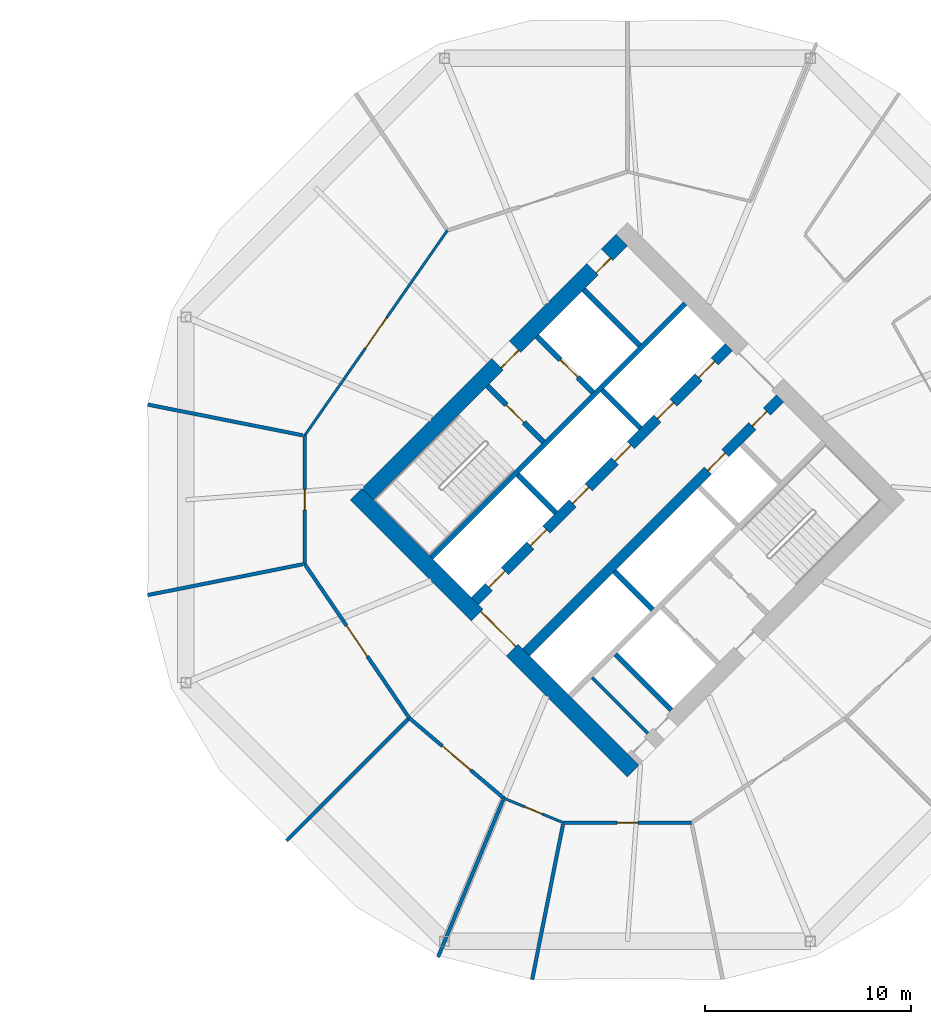
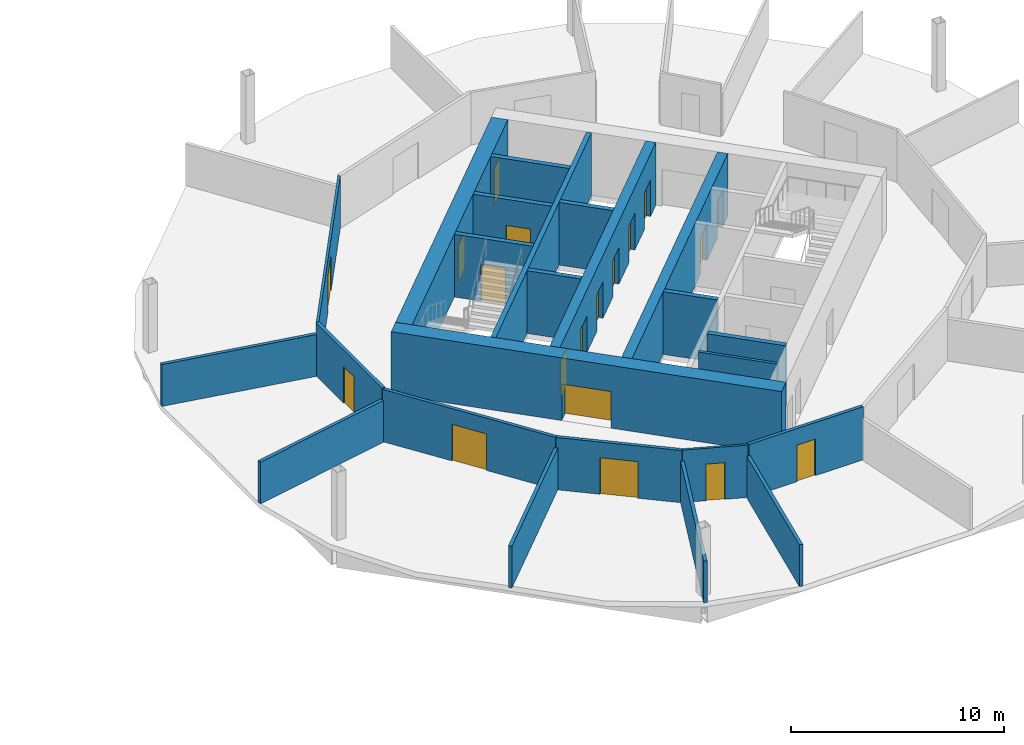
# One storey, part 7 of 10: 24 walls, 19 doors, 19 openings.
"""IFC4 building model written with IfcOpenShell, lengths in metres."""

import ifcopenshell
import ifcopenshell.guid

model = None  # the IFC model being written
_history = None  # IfcOwnerHistory: only IFC2X3 demands one
_inside = {}  # id of a spatial element -> (the spatial element, [elements in it])
_under = {}  # id of a project, library or spatial element -> (it, [spatial elements below it])
_declared = {}  # id of a project -> (the project, [libraries it declares])
_typed = {}  # id of a type object -> (the type object, [elements of that type])
_made_of = {}  # id of a material, layer set ... -> (it, [elements and type objects made of it])


def new_model(schema):
    """Start an empty IFC model of exactly this schema.

    Asked for "IFC4X3", IfcOpenShell would pick the latest addendum, in which some entities
    have other attributes; the version numbers below select the first issue.
    IFC2X3 requires an IfcOwnerHistory on every rooted entity: one is made here for all.
    """
    global model, _history
    if schema == "IFC4X3":
        model = ifcopenshell.file(schema_version=(4, 3, 0, 0))
    else:
        model = ifcopenshell.file(schema=schema)
    _inside.clear()
    _under.clear()
    _declared.clear()
    _typed.clear()
    _made_of.clear()
    _history = None
    if model.schema == "IFC2X3":
        org = make("IfcOrganization", Name="unknown")
        user = make(
            "IfcPersonAndOrganization",
            ThePerson=make("IfcPerson", FamilyName="unknown"),
            TheOrganization=org,
        )
        app = make(
            "IfcApplication",
            ApplicationDeveloper=org,
            Version="unknown",
            ApplicationFullName="unknown",
            ApplicationIdentifier="unknown",
        )
        _history = make(
            "IfcOwnerHistory",
            OwningUser=user,
            OwningApplication=app,
            ChangeAction="ADDED",
            CreationDate=0,
        )
    return model


def make(cls, **values):
    """One entity of the class cls with the attributes given. An attribute that is None is left unset."""
    return model.create_entity(
        cls, **{name: value for name, value in values.items() if value is not None}
    )


def rooted(cls, **values):
    """An entity with a GlobalId (a new one), such as an element, a storey or a relation."""
    return make(cls, GlobalId=ifcopenshell.guid.new(), OwnerHistory=_history, **values)


def si_unit(unit_type, name, prefix=None):
    """IfcSIUnit, for example si_unit("LENGTHUNIT", "METRE", prefix="MILLI")."""
    return make("IfcSIUnit", UnitType=unit_type, Prefix=prefix, Name=name)


def assignment(units):
    """IfcUnitAssignment: the units of a project."""
    return None if units is None else make("IfcUnitAssignment", Units=units)


def point(xyz):
    """IfcCartesianPoint."""
    return None if xyz is None else make("IfcCartesianPoint", Coordinates=xyz)


def direction(xyz):
    """IfcDirection."""
    return None if xyz is None else make("IfcDirection", DirectionRatios=xyz)


def frame(location, z_axis=None, x_axis=None):
    """IfcAxis2Placement3D, a coordinate frame: its origin and axes. An axis left out is left unset."""
    return make(
        "IfcAxis2Placement3D",
        Location=point(location),
        Axis=direction(z_axis),
        RefDirection=direction(x_axis),
    )


def frame_2d(location, x_axis=None):
    """IfcAxis2Placement2D, a coordinate frame in the plane: its origin and x axis."""
    return make(
        "IfcAxis2Placement2D", Location=point(location), RefDirection=direction(x_axis)
    )


def origin():
    """The frame at (0, 0, 0) with its axes left unset."""
    return frame((0.0, 0.0, 0.0))


def place(relative_to, where):
    """IfcLocalPlacement: puts the frame where relative to a parent placement (None: the world)."""
    return make(
        "IfcLocalPlacement", PlacementRelTo=relative_to, RelativePlacement=where
    )


def context(
    kind, dimensions, precision=None, world=None, true_north=None, identifier=None
):
    """IfcGeometricRepresentationContext, for example the 3D "Model" context."""
    return make(
        "IfcGeometricRepresentationContext",
        ContextIdentifier=identifier,
        ContextType=kind,
        CoordinateSpaceDimension=dimensions,
        Precision=precision,
        WorldCoordinateSystem=world,
        TrueNorth=true_north,
    )


def subcontext(parent, identifier, kind, view, scale=None):
    """IfcGeometricRepresentationSubContext, for example "Body" below "Model"."""
    return make(
        "IfcGeometricRepresentationSubContext",
        ContextIdentifier=identifier,
        ContextType=kind,
        ParentContext=parent,
        TargetScale=scale,
        TargetView=view,
    )


def project(units=None, contexts=None):
    """IfcProject with its units and contexts."""
    return rooted(
        "IfcProject",
        Name="project",
        RepresentationContexts=contexts,
        UnitsInContext=assignment(units),
    )


def spatial(cls, under=None, at=None, **own):
    """A site, building, storey or space (cls), placed at a placement, below another one or the project."""
    s = rooted(cls, ObjectPlacement=at, **own)
    if under is not None:
        _under.setdefault(under.id(), (under, []))[1].append(s)
    return s


def profile(cls, at=None, kind="AREA", **sizes):
    """A parametric profile (cls). Its sizes go by their IFC names, for example OverallWidth=200.0."""
    return make(cls, ProfileType=kind, Position=at, **sizes)


def rectangle(**sizes):
    """IfcRectangleProfileDef."""
    return profile("IfcRectangleProfileDef", **sizes)


def extrude(swept, where, along, depth):
    """IfcExtrudedAreaSolid: the profile swept, set in the frame where, extruded along a direction by depth."""
    return make(
        "IfcExtrudedAreaSolid",
        SweptArea=swept,
        Position=where,
        ExtrudedDirection=direction(along),
        Depth=depth,
    )


def shape(context_of_items, identifier, shape_type, items):
    """IfcShapeRepresentation: the items that make up one representation, for example the "Body"."""
    return make(
        "IfcShapeRepresentation",
        ContextOfItems=context_of_items,
        RepresentationIdentifier=identifier,
        RepresentationType=shape_type,
        Items=items,
    )


def material(Name=None, Category=None):
    """IfcMaterial."""
    return make("IfcMaterial", Name=Name, Category=Category)


def layer(
    of_material, thickness, ventilated=None, Name=None, Category=None, Priority=None
):
    """IfcMaterialLayer: one layer of a wall or slab, of a material (None: an air gap)."""
    return make(
        "IfcMaterialLayer",
        Material=of_material,
        LayerThickness=thickness,
        IsVentilated=ventilated,
        Name=Name,
        Category=Category,
        Priority=Priority,
    )


def layer_set(layers, Name=None):
    """IfcMaterialLayerSet."""
    return make("IfcMaterialLayerSet", MaterialLayers=layers, LayerSetName=Name)


def made_of(thing, what):
    """Note that an element or type object is made of a material, layer set ...; save() writes the relation."""
    if what is not None:
        _made_of.setdefault(what.id(), (what, []))[1].append(thing)
    return thing


def type_object(cls, material=None, **own):
    """A type object (cls), such as IfcWallType, which elements share."""
    return made_of(rooted(cls, **own), material)


def element(
    cls,
    number,
    at=None,
    inside=None,
    cuts=None,
    type_object=None,
    material=None,
    context=None,
    identifier="Body",
    shape_type=None,
    held_by="IfcProductDefinitionShape",
    body=None,
    shapes=None,
    **own,
):
    """One element of the class cls, such as IfcWall. Its Tag is "e" and its number.

    at: its placement. inside: the storey or other place that contains it. cuts: it is an
    opening in that element (IfcRelVoidsElement). A single representation is given by context,
    identifier, shape_type and body (its items); several are given by shapes. held_by: the class
    of the entity that holds the representations. save() writes the other relations.
    """
    e = rooted(cls, Tag="e%d" % number, ObjectPlacement=at, **own)
    if body is not None:
        shapes = [shape(context, identifier, shape_type, body)]
    if shapes is not None:
        e.Representation = make(held_by, Representations=shapes)
    if inside is not None:
        _inside.setdefault(inside.id(), (inside, []))[1].append(e)
    if cuts is not None:
        rooted(
            "IfcRelVoidsElement", RelatingBuildingElement=cuts, RelatedOpeningElement=e
        )
    if type_object is not None:
        _typed.setdefault(type_object.id(), (type_object, []))[1].append(e)
    return made_of(e, material)


def fill(opening, filler):
    """IfcRelFillsElement: the door or window that sits in an opening."""
    return rooted(
        "IfcRelFillsElement",
        RelatingOpeningElement=opening,
        RelatedBuildingElement=filler,
    )


def aggregate(whole, parts):
    """IfcRelAggregates: a whole, such as a stair, and the parts it consists of."""
    return rooted("IfcRelAggregates", RelatingObject=whole, RelatedObjects=parts)


def save(model, path):
    """Write the relations noted so far, then the file.

    IfcRelAggregates (storeys below a building ...), IfcRelContainedInSpatialStructure (elements
    in a storey), IfcRelDefinesByType, IfcRelAssociatesMaterial and IfcRelDeclares: one each for
    every whole, place, type object, material and project.
    """
    for whole, parts in _under.values():
        aggregate(whole, parts)
    for where, things in _inside.values():
        rooted(
            "IfcRelContainedInSpatialStructure",
            RelatedElements=things,
            RelatingStructure=where,
        )
    for kind, things in _typed.values():
        rooted("IfcRelDefinesByType", RelatedObjects=things, RelatingType=kind)
    for what, things in _made_of.values():
        rooted("IfcRelAssociatesMaterial", RelatedObjects=things, RelatingMaterial=what)
    for by, libraries in _declared.values():
        rooted("IfcRelDeclares", RelatingContext=by, RelatedDefinitions=libraries)
    model.write(path)


model = new_model("IFC4")

# Units and contexts
model_context = context("Model", 3, precision=1e-05, world=origin(), true_north=direction((0.0, 1.0)))
body_context = subcontext(model_context, "Body", "Model", "MODEL_VIEW")
ifc_project = project(units=[si_unit("LENGTHUNIT", "METRE"), si_unit("AREAUNIT", "SQUARE_METRE"), si_unit("VOLUMEUNIT", "CUBIC_METRE"), si_unit("PLANEANGLEUNIT", "RADIAN"), si_unit("MASSUNIT", "GRAM", prefix="KILO")], contexts=[model_context])

# Site, building, storey
site_placement = place(None, origin())
site = spatial("IfcSite", under=ifc_project, at=site_placement, CompositionType="ELEMENT")
building_placement = place(site_placement, origin())
building = spatial("IfcBuilding", under=site, at=building_placement, Name="Ogive Gate Towers", CompositionType="ELEMENT")
storey_placement = place(building_placement, frame((0.0, 0.0, 103.5)))
storey = spatial("IfcBuildingStorey", under=building, at=storey_placement, Name="L24", CompositionType="ELEMENT", Elevation=103.5)

# Walls
ifc_material_1 = material(Name="Gypsum board acoustic partition")
ifc_layer_1 = layer(ifc_material_1, 0.175048828125)
ifc_layer_set_1 = layer_set([ifc_layer_1], Name="Acoustic partition 175")
wall_type_1 = type_object("IfcWallType", Name="Acoustic partition 175", PredefinedType="PARTITIONING", material=ifc_layer_set_1)
for number, where, z_axis, x_axis, name in (
    (1, (12.74462890625, 4.6181640625, 0.0), (0.0, 0.0, 1.0), (0.980847919534, -0.1947751492, 0.0), "Partition T2-L24-008"),
    (2, (12.74462890625, -4.6181640625, 0.0), (0.0, 0.0, 1.0), (0.980847919534, 0.1947751492, 0.0), "Partition T2-L24-009"),
):
    element("IfcWall", number, at=place(storey_placement, frame(where, z_axis=z_axis, x_axis=x_axis)), inside=storey, type_object=wall_type_1, Name=name, PredefinedType="PARTITIONING", context=body_context, shape_type="SweptSolid", body=[
        extrude(rectangle(XDim=7.668701171875, YDim=0.175048828125, at=frame_2d((3.83447265625, 0.0))), origin(), (0.0, 0.0, 1.0), 2.39990234375),
    ])
wall_1_placement = place(storey_placement, frame((19.478759765625, -16.521240234375, 0.0), z_axis=(0.0, 0.0, 1.0), x_axis=(0.707106781187, 0.707106781187, 0.0)))
element("IfcWall", 3, at=wall_1_placement, inside=storey, type_object=wall_type_1, Name="Partition T2-L24-010", PredefinedType="PARTITIONING", context=body_context, shape_type="SweptSolid", body=[
    extrude(rectangle(XDim=8.323974609375, YDim=0.175048828125, at=frame_2d((4.162109375, 0.0))), origin(), (0.0, 0.0, 1.0), 2.39990234375),
])
wall_2_placement = place(storey_placement, frame((26.818115234375, -22.1669921875, 0.0), z_axis=(0.0, 0.0, 1.0), x_axis=(0.382692348895, 0.923875839113, 0.0)))
element("IfcWall", 4, at=wall_2_placement, inside=storey, type_object=wall_type_1, Name="Partition T2-L24-011", PredefinedType="PARTITIONING", context=body_context, shape_type="SweptSolid", body=[
    extrude(rectangle(XDim=8.251953125, YDim=0.175048828125, at=frame_2d((4.1259765625, 0.0))), origin(), (0.0, 0.0, 1.0), 2.39990234375),
])
wall_3_placement = place(storey_placement, frame((31.3818359375, -23.25537109375, 0.0), z_axis=(0.0, 0.0, 1.0), x_axis=(0.1947751492, 0.980847919534, 0.0)))
element("IfcWall", 5, at=wall_3_placement, inside=storey, type_object=wall_type_1, Name="Partition T2-L24-012", PredefinedType="PARTITIONING", context=body_context, shape_type="SweptSolid", body=[
    extrude(rectangle(XDim=7.668701171875, YDim=0.175048828125, at=frame_2d((3.83447265625, 0.0))), origin(), (0.0, 0.0, 1.0), 2.39990234375),
])

# Wall, opening, door
wall_4_placement = place(storey_placement, frame((20.35205078125, 3.107421875, 0.0), z_axis=(0.0, 0.0, 1.0), x_axis=(0.0, -1.0, 0.0)))
wall_4 = element("IfcWall", 6, at=wall_4_placement, inside=storey, type_object=wall_type_1, Name="Partition T2-L24-020", PredefinedType="PARTITIONING", context=body_context, shape_type="SweptSolid", body=[
    extrude(rectangle(XDim=6.21484375, YDim=0.175048828125, at=frame_2d((3.107421875, 0.0))), origin(), (0.0, 0.0, 1.0), 3.050048828125),
])
opening_1_placement = place(wall_4_placement, frame((2.60693359375, 0.0, 0.0)))
opening_1 = element("IfcOpeningElement", 7, at=opening_1_placement, cuts=wall_4, Name="Opening T2-L24-D05", PredefinedType="OPENING", context=body_context, shape_type="SweptSolid", body=[
    extrude(rectangle(XDim=1.0, YDim=2.10009765625, at=frame_2d((0.5, 1.050048828125))), frame((0.0, 0.09765625, 0.0), z_axis=(0.0, -1.0, 0.0), x_axis=(1.0, 0.0, 0.0)), (0.0, 0.0, 1.0), 0.195068359375),
])
ifc_material_2 = material(Name="Timber door", Category="wood")
door_type_1 = type_object("IfcDoorType", Name="Door 1000", OperationType="NOTDEFINED", PredefinedType="DOOR", material=ifc_material_2)
door_1_placement = place(opening_1_placement, origin())
door_1 = element("IfcDoor", 8, at=door_1_placement, inside=storey, type_object=door_type_1, Name="Door T2-L24-D05", OperationType="SINGLE_SWING_RIGHT", OverallHeight=2.10009765625, OverallWidth=1.0, PredefinedType="DOOR", context=body_context, shape_type="SweptSolid", body=[
    extrude(rectangle(XDim=1.0, YDim=2.10009765625, at=frame_2d((0.5, 1.050048828125))), frame((0.0, 0.02490234375, 0.0), z_axis=(0.0, -1.0, 0.0), x_axis=(1.0, 0.0, 0.0)), (0.0, 0.0, 1.0), 0.050048828125),
])
fill(opening_1, door_1)

wall_5_placement = place(storey_placement, frame((20.35205078125, -3.107421875, 0.0), z_axis=(0.0, 0.0, 1.0), x_axis=(0.562123594144, -0.827053241882, 0.0)))
wall_5 = element("IfcWall", 9, at=wall_5_placement, inside=storey, type_object=wall_type_1, Name="Partition T2-L24-021", PredefinedType="PARTITIONING", context=body_context, shape_type="SweptSolid", body=[
    extrude(rectangle(XDim=9.02734375, YDim=0.175048828125, at=frame_2d((4.513671875, 0.0))), origin(), (0.0, 0.0, 1.0), 3.0),
])
opening_2_placement = place(wall_5_placement, frame((3.614013671875, 0.0, 0.0)))
opening_2 = element("IfcOpeningElement", 10, at=opening_2_placement, cuts=wall_5, Name="Opening T2-L24-D06", PredefinedType="OPENING", context=body_context, shape_type="SweptSolid", body=[
    extrude(rectangle(XDim=1.800048828125, YDim=2.10009765625, at=frame_2d((0.89990234375, 1.050048828125))), frame((0.0, 0.09765625, 0.0), z_axis=(0.0, -1.0, 0.0), x_axis=(1.0, 0.0, 0.0)), (0.0, 0.0, 1.0), 0.195068359375),
])
door_type_2 = type_object("IfcDoorType", Name="Door pair 1800", OperationType="NOTDEFINED", PredefinedType="DOOR", material=ifc_material_2)
door_2_placement = place(opening_2_placement, origin())
door_2 = element("IfcDoor", 11, at=door_2_placement, inside=storey, type_object=door_type_2, Name="Door T2-L24-D06", OperationType="DOUBLE_DOOR_DOUBLE_SWING", OverallHeight=2.10009765625, OverallWidth=1.800048828125, PredefinedType="DOOR", context=body_context, shape_type="SweptSolid", body=[
    extrude(rectangle(XDim=1.800048828125, YDim=2.10009765625, at=frame_2d((0.89990234375, 1.050048828125))), frame((0.0, 0.02490234375, 0.0), z_axis=(0.0, -1.0, 0.0), x_axis=(1.0, 0.0, 0.0)), (0.0, 0.0, 1.0), 0.050048828125),
])
fill(opening_2, door_2)

wall_6_placement = place(storey_placement, frame((25.426513671875, -10.573486328125, 0.0), z_axis=(0.0, 0.0, 1.0), x_axis=(0.762484239103, -0.647006789083, 0.0)))
wall_6 = element("IfcWall", 12, at=wall_6_placement, inside=storey, type_object=wall_type_1, Name="Partition T2-L24-022", PredefinedType="PARTITIONING", context=body_context, shape_type="SweptSolid", body=[
    extrude(rectangle(XDim=6.0107421875, YDim=0.175048828125, at=frame_2d((3.00537109375, 0.0))), origin(), (0.0, 0.0, 1.0), 3.0),
])
opening_3_placement = place(wall_6_placement, frame((2.10498046875, 0.0, 0.0)))
opening_3 = element("IfcOpeningElement", 13, at=opening_3_placement, cuts=wall_6, Name="Opening T2-L24-D07", PredefinedType="OPENING", context=body_context, shape_type="SweptSolid", body=[
    extrude(rectangle(XDim=1.800048828125, YDim=2.10009765625, at=frame_2d((0.89990234375, 1.050048828125))), frame((0.0, 0.09765625, 0.0), z_axis=(0.0, -1.0, 0.0), x_axis=(1.0, 0.0, 0.0)), (0.0, 0.0, 1.0), 0.195068359375),
])
door_3_placement = place(opening_3_placement, origin())
door_3 = element("IfcDoor", 14, at=door_3_placement, inside=storey, type_object=door_type_2, Name="Door T2-L24-D07", OperationType="DOUBLE_DOOR_DOUBLE_SWING", OverallHeight=2.10009765625, OverallWidth=1.800048828125, PredefinedType="DOOR", context=body_context, shape_type="SweptSolid", body=[
    extrude(rectangle(XDim=1.800048828125, YDim=2.10009765625, at=frame_2d((0.89990234375, 1.050048828125))), frame((0.0, 0.02490234375, 0.0), z_axis=(0.0, -1.0, 0.0), x_axis=(1.0, 0.0, 0.0)), (0.0, 0.0, 1.0), 0.050048828125),
])
fill(opening_3, door_3)

wall_7_placement = place(storey_placement, frame((32.892578125, -15.64794921875, 0.0), z_axis=(0.0, 0.0, 1.0), x_axis=(1.0, 0.0, 0.0)))
wall_7 = element("IfcWall", 15, at=wall_7_placement, inside=storey, type_object=wall_type_1, Name="Partition T2-L24-024", PredefinedType="PARTITIONING", context=body_context, shape_type="SweptSolid", body=[
    extrude(rectangle(XDim=6.21484375, YDim=0.175048828125, at=frame_2d((3.107421875, 0.0))), origin(), (0.0, 0.0, 1.0), 3.050048828125),
])
opening_4_placement = place(wall_7_placement, frame((2.60693359375, 0.0, 0.0)))
opening_4 = element("IfcOpeningElement", 16, at=opening_4_placement, cuts=wall_7, Name="Opening T2-L24-D09", PredefinedType="OPENING", context=body_context, shape_type="SweptSolid", body=[
    extrude(rectangle(XDim=1.0, YDim=2.10009765625, at=frame_2d((0.5, 1.050048828125))), frame((0.0, 0.09765625, 0.0), z_axis=(0.0, -1.0, 0.0), x_axis=(1.0, 0.0, 0.0)), (0.0, 0.0, 1.0), 0.195068359375),
])
door_4_placement = place(opening_4_placement, origin())
door_4 = element("IfcDoor", 17, at=door_4_placement, inside=storey, type_object=door_type_1, Name="Door T2-L24-D09", OperationType="SINGLE_SWING_RIGHT", OverallHeight=2.10009765625, OverallWidth=1.0, PredefinedType="DOOR", context=body_context, shape_type="SweptSolid", body=[
    extrude(rectangle(XDim=1.0, YDim=2.10009765625, at=frame_2d((0.5, 1.050048828125))), frame((0.0, 0.02490234375, 0.0), z_axis=(0.0, -1.0, 0.0), x_axis=(1.0, 0.0, 0.0)), (0.0, 0.0, 1.0), 0.050048828125),
])
fill(opening_4, door_4)

# Wall, openings, doors
ifc_material_3 = material(Name="Concrete C60/75", Category="concrete")
ifc_layer_2 = layer(ifc_material_3, 0.800048828125)
ifc_layer_set_2 = layer_set([ifc_layer_2], Name="Core wall 800 mm")
wall_type_2 = type_object("IfcWallType", Name="Core wall 800 mm", PredefinedType="SHEAR", material=ifc_layer_set_2)
wall_8_placement = place(storey_placement, frame((23.41357421875, 0.28271484375, 0.0), z_axis=(0.0, 0.0, 1.0), x_axis=(0.707106781187, 0.707106781187, 0.0)))
wall_8 = element("IfcWall", 18, at=wall_8_placement, inside=storey, type_object=wall_type_2, Name="T2 L24 Core wall 800 mm", PredefinedType="SHEAR", context=body_context, shape_type="SweptSolid", body=[
    extrude(rectangle(XDim=17.400146484375, YDim=0.800048828125, at=frame_2d((8.7001953125, 0.0))), origin(), (0.0, 0.0, 1.0), 3.60009765625),
])
opening_5_placement = place(wall_8_placement, frame((8.89990234375, 0.0, 0.0)))
opening_5 = element("IfcOpeningElement", 19, at=opening_5_placement, cuts=wall_8, Name="Opening KD-T2-L24-15", PredefinedType="OPENING", context=body_context, shape_type="SweptSolid", body=[
    extrude(rectangle(XDim=1.199951171875, YDim=2.10009765625, at=frame_2d((0.60009765625, 1.050048828125))), frame((0.0, 0.41015625, 0.0), z_axis=(0.0, -1.0, 0.0), x_axis=(1.0, 0.0, 0.0)), (0.0, 0.0, 1.0), 0.820068359375),
])
opening_6_placement = place(wall_8_placement, frame((15.39990234375, 0.0, 0.0)))
opening_6 = element("IfcOpeningElement", 20, at=opening_6_placement, cuts=wall_8, Name="Opening KD-T2-L24-17", PredefinedType="OPENING", context=body_context, shape_type="SweptSolid", body=[
    extrude(rectangle(XDim=1.0, YDim=2.10009765625, at=frame_2d((0.5, 1.050048828125))), frame((0.0, 0.41015625, 0.0), z_axis=(0.0, -1.0, 0.0), x_axis=(1.0, 0.0, 0.0)), (0.0, 0.0, 1.0), 0.820068359375),
])
door_type_3 = type_object("IfcDoorType", Name="Accessible WC door 1000 x 2100", OperationType="NOTDEFINED", PredefinedType="DOOR", material=ifc_material_2)
door_5_placement = place(opening_6_placement, origin())
door_5 = element("IfcDoor", 21, at=door_5_placement, inside=storey, type_object=door_type_3, Name="T2 L24 Core door", OperationType="SINGLE_SWING_RIGHT", OverallHeight=2.10009765625, OverallWidth=1.0, PredefinedType="DOOR", context=body_context, shape_type="SweptSolid", body=[
    extrude(rectangle(XDim=1.0, YDim=2.10009765625, at=frame_2d((0.5, 1.050048828125))), frame((0.0, -0.22509765625, 0.0), z_axis=(0.0, -1.0, 0.0), x_axis=(1.0, 0.0, 0.0)), (0.0, 0.0, 1.0), 0.050048828125),
])
fill(opening_6, door_5)
ifc_material_4 = material(Name="Steel fire door", Category="steel")
door_type_4 = type_object("IfcDoorType", Name="Core door FD60S 1200 x 2100", OperationType="NOTDEFINED", PredefinedType="DOOR", material=ifc_material_4)
door_6_placement = place(opening_5_placement, origin())
door_6 = element("IfcDoor", 22, at=door_6_placement, inside=storey, type_object=door_type_4, Name="T2 L24 Fire-fighting lobby door", OperationType="SINGLE_SWING_RIGHT", OverallHeight=2.10009765625, OverallWidth=1.199951171875, PredefinedType="DOOR", context=body_context, shape_type="SweptSolid", body=[
    extrude(rectangle(XDim=1.199951171875, YDim=2.10009765625, at=frame_2d((0.60009765625, 1.050048828125))), frame((0.0, -0.22509765625, 0.0), z_axis=(0.0, -1.0, 0.0), x_axis=(1.0, 0.0, 0.0)), (0.0, 0.0, 1.0), 0.050048828125),
])
fill(opening_5, door_6)

# Wall, opening, door
wall_9_placement = place(storey_placement, frame((36.28271484375, -13.152099609375, 0.0), z_axis=(0.0, 0.0, 1.0), x_axis=(-0.707106781187, 0.707106781187, 0.0)))
wall_9 = element("IfcWall", 23, at=wall_9_placement, inside=storey, type_object=wall_type_2, Name="T2 L24 Core wall 800 mm", PredefinedType="SHEAR", context=body_context, shape_type="SweptSolid", body=[
    extrude(rectangle(XDim=18.999755859375, YDim=0.800048828125, at=frame_2d((9.5, 0.0))), origin(), (0.0, 0.0, 1.0), 3.60009765625),
])
opening_7_placement = place(wall_9_placement, frame((8.300048828125, 0.0, 0.0)))
opening_7 = element("IfcOpeningElement", 24, at=opening_7_placement, cuts=wall_9, Name="Opening KD-T2-L24-01", PredefinedType="OPENING", context=body_context, shape_type="SweptSolid", body=[
    extrude(rectangle(XDim=2.39990234375, YDim=2.10009765625, at=frame_2d((1.199951171875, 1.050048828125))), frame((0.0, 0.41015625, 0.0), z_axis=(0.0, -1.0, 0.0), x_axis=(1.0, 0.0, 0.0)), (0.0, 0.0, 1.0), 0.820068359375),
])
door_type_5 = type_object("IfcDoorType", Name="Core double door FD60S 2400 x 2100", OperationType="DOUBLE_DOOR_SINGLE_SWING", PredefinedType="DOOR", material=ifc_material_4)
door_7_placement = place(opening_7_placement, origin())
door_7 = element("IfcDoor", 25, at=door_7_placement, inside=storey, type_object=door_type_5, Name="T2 L24 Core door double", OperationType="DOUBLE_DOOR_SINGLE_SWING", OverallHeight=2.10009765625, OverallWidth=2.39990234375, PredefinedType="DOOR", context=body_context, shape_type="SweptSolid", body=[
    extrude(rectangle(XDim=2.39990234375, YDim=2.10009765625, at=frame_2d((1.199951171875, 1.050048828125))), frame((0.0, -0.22509765625, 0.0), z_axis=(0.0, -1.0, 0.0), x_axis=(1.0, 0.0, 0.0)), (0.0, 0.0, 1.0), 0.050048828125),
])
fill(opening_7, door_7)

ifc_material_5 = material(Name="Gypsum board partition")
ifc_layer_3 = layer(ifc_material_5, 0.125)
ifc_layer_set_3 = layer_set([ifc_layer_3], Name="Partition 125")
wall_type_3 = type_object("IfcWallType", Name="Partition 125", PredefinedType="PARTITIONING", material=ifc_layer_set_3)
wall_10_placement = place(storey_placement, frame((27.271484375, 13.05419921875, 0.0), z_axis=(0.0, 0.0, 1.0), x_axis=(-0.571060946089, -0.820907665851, 0.0)))
wall_10 = element("IfcWall", 26, at=wall_10_placement, inside=storey, type_object=wall_type_3, Name="Partition T2-L24-019", PredefinedType="PARTITIONING", context=body_context, shape_type="SweptSolid", body=[
    extrude(rectangle(XDim=12.11669921875, YDim=0.125, at=frame_2d((6.058349609375, 0.0))), origin(), (0.0, 0.0, 1.0), 3.0),
])
opening_8_placement = place(wall_10_placement, frame((5.157958984375, 0.0, 0.0)))
opening_8 = element("IfcOpeningElement", 27, at=opening_8_placement, cuts=wall_10, Name="Opening T2-L24-D04", PredefinedType="OPENING", context=body_context, shape_type="SweptSolid", body=[
    extrude(rectangle(XDim=1.800048828125, YDim=2.10009765625, at=frame_2d((0.89990234375, 1.050048828125))), frame((0.0, 0.072509765625, 0.0), z_axis=(0.0, -1.0, 0.0), x_axis=(1.0, 0.0, 0.0)), (0.0, 0.0, 1.0), 0.14501953125),
])
door_8_placement = place(opening_8_placement, origin())
door_8 = element("IfcDoor", 28, at=door_8_placement, inside=storey, type_object=door_type_2, Name="Door T2-L24-D04", OperationType="DOUBLE_DOOR_DOUBLE_SWING", OverallHeight=2.10009765625, OverallWidth=1.800048828125, PredefinedType="DOOR", context=body_context, shape_type="SweptSolid", body=[
    extrude(rectangle(XDim=1.800048828125, YDim=2.10009765625, at=frame_2d((0.89990234375, 1.050048828125))), frame((0.0, 0.02490234375, 0.0), z_axis=(0.0, -1.0, 0.0), x_axis=(1.0, 0.0, 0.0)), (0.0, 0.0, 1.0), 0.050048828125),
])
fill(opening_8, door_8)

wall_11_placement = place(storey_placement, frame((30.009521484375, -14.46240234375, 0.0), z_axis=(0.0, 0.0, 1.0), x_axis=(0.924858033966, -0.380312525442, 0.0)))
wall_11 = element("IfcWall", 29, at=wall_11_placement, inside=storey, type_object=wall_type_3, Name="Partition T2-L24-023", PredefinedType="PARTITIONING", context=body_context, shape_type="SweptSolid", body=[
    extrude(rectangle(XDim=3.1171875, YDim=0.125, at=frame_2d((1.55859375, 0.0))), origin(), (0.0, 0.0, 1.0), 3.010009765625),
])
opening_9_placement = place(wall_11_placement, frame((1.10888671875, 0.0, 0.0)))
opening_9 = element("IfcOpeningElement", 30, at=opening_9_placement, cuts=wall_11, Name="Opening T2-L24-D08", PredefinedType="OPENING", context=body_context, shape_type="SweptSolid", body=[
    extrude(rectangle(XDim=0.89990234375, YDim=2.10009765625, at=frame_2d((0.449951171875, 1.050048828125))), frame((0.0, 0.072509765625, 0.0), z_axis=(0.0, -1.0, 0.0), x_axis=(1.0, 0.0, 0.0)), (0.0, 0.0, 1.0), 0.14501953125),
])
door_type_6 = type_object("IfcDoorType", Name="Door 900", OperationType="NOTDEFINED", PredefinedType="DOOR", material=ifc_material_2)
door_9_placement = place(opening_9_placement, origin())
door_9 = element("IfcDoor", 31, at=door_9_placement, inside=storey, type_object=door_type_6, Name="Door T2-L24-D08", OperationType="SINGLE_SWING_LEFT", OverallHeight=2.10009765625, OverallWidth=0.89990234375, PredefinedType="DOOR", context=body_context, shape_type="SweptSolid", body=[
    extrude(rectangle(XDim=0.89990234375, YDim=2.10009765625, at=frame_2d((0.449951171875, 1.050048828125))), frame((0.0, 0.02490234375, 0.0), z_axis=(0.0, -1.0, 0.0), x_axis=(1.0, 0.0, 0.0)), (0.0, 0.0, 1.0), 0.050048828125),
])
fill(opening_9, door_9)

# Walls
ifc_layer_4 = layer(ifc_material_5, 0.14990234375)
ifc_layer_set_4 = layer_set([ifc_layer_4], Name="Room partition 150 mm")
wall_type_4 = type_object("IfcWallType", Name="Room partition 150 mm", PredefinedType="PARTITIONING", material=ifc_layer_set_4)
wall_12_placement = place(storey_placement, frame((36.989990234375, -11.313720703125, 0.0), z_axis=(0.0, 0.0, 1.0), x_axis=(-0.707074866995, 0.707138693938, 0.0)))
element("IfcWall", 32, at=wall_12_placement, inside=storey, type_object=wall_type_4, Name="T2 L24 Room partition 150 mm", PredefinedType="PARTITIONING", context=body_context, shape_type="SweptSolid", body=[
    extrude(rectangle(XDim=3.824951171875, YDim=0.14990234375, at=frame_2d((1.91259765625, 0.0))), origin(), (0.0, 0.0, 1.0), 3.60009765625),
])
ifc_layer_5 = layer(ifc_material_3, 0.25)
ifc_layer_set_5 = layer_set([ifc_layer_5], Name="Shaft wall 250 mm")
wall_type_5 = type_object("IfcWallType", Name="Shaft wall 250 mm", PredefinedType="SHEAR", material=ifc_layer_set_5)
wall_13_placement = place(storey_placement, frame((26.489501953125, -2.793212890625, 0.0), z_axis=(0.0, 0.0, 1.0), x_axis=(0.707106781187, 0.707106781187, 0.0)))
element("IfcWall", 33, at=wall_13_placement, inside=storey, type_object=wall_type_5, Name="T2 L24 Shaft wall 250 mm", PredefinedType="SHEAR", context=body_context, shape_type="SweptSolid", body=[
    extrude(rectangle(XDim=17.400146484375, YDim=0.25, at=frame_2d((8.7001953125, 0.0))), origin(), (0.0, 0.0, 1.0), 3.60009765625),
])
wall_14_placement = place(storey_placement, frame((38.121337890625, -10.182373046875, 0.0), z_axis=(0.0, 0.0, 1.0), x_axis=(-0.707138693938, 0.707074866995, 0.0)))
element("IfcWall", 34, at=wall_14_placement, inside=storey, type_object=wall_type_5, Name="T2 L24 Shaft wall 250 mm", PredefinedType="SHEAR", context=body_context, shape_type="SweptSolid", body=[
    extrude(rectangle(XDim=3.824951171875, YDim=0.25, at=frame_2d((1.91259765625, 0.0))), origin(), (0.0, 0.0, 1.0), 3.60009765625),
])
for number, where, z_axis, x_axis, name in (
    (35, (37.2197265625, -5.321044921875, 0.0), (0.0, 0.0, 1.0), (-0.707106781187, 0.707106781187, 0.0), "T2 L24 Shaft wall 250 mm"),
    (36, (32.53515625, -0.636474609375, 0.0), (0.0, 0.0, 1.0), (-0.707106781187, 0.707106781187, 0.0), "T2 L24 Shaft wall 250 mm"),
):
    element("IfcWall", number, at=place(storey_placement, frame(where, z_axis=z_axis, x_axis=x_axis)), inside=storey, type_object=wall_type_5, Name=name, PredefinedType="SHEAR", context=body_context, shape_type="SweptSolid", body=[
        extrude(rectangle(XDim=2.625, YDim=0.25, at=frame_2d((1.3125, 0.0))), origin(), (0.0, 0.0, 1.0), 3.60009765625),
    ])

# Wall, opening, door
wall_15_placement = place(storey_placement, frame((31.91650390625, 2.810791015625, 0.0), z_axis=(0.0, 0.0, 1.0), x_axis=(-0.707106781187, 0.707106781187, 0.0)))
wall_15 = element("IfcWall", 37, at=wall_15_placement, inside=storey, type_object=wall_type_5, Name="T2 L24 Shaft wall 250 mm", PredefinedType="SHEAR", context=body_context, shape_type="SweptSolid", body=[
    extrude(rectangle(XDim=3.824951171875, YDim=0.25, at=frame_2d((1.91259765625, 0.0))), origin(), (0.0, 0.0, 1.0), 3.60009765625),
])
opening_10_placement = place(wall_15_placement, frame((1.324951171875, 0.0, 0.0)))
opening_10 = element("IfcOpeningElement", 38, at=opening_10_placement, cuts=wall_15, Name="Opening KD-T2-L24-13", PredefinedType="OPENING", context=body_context, shape_type="SweptSolid", body=[
    extrude(rectangle(XDim=1.199951171875, YDim=2.10009765625, at=frame_2d((0.60009765625, 1.050048828125))), frame((0.0, 0.135009765625, 0.0), z_axis=(0.0, -1.0, 0.0), x_axis=(1.0, 0.0, 0.0)), (0.0, 0.0, 1.0), 0.27001953125),
])
door_10_placement = place(opening_10_placement, origin())
door_10 = element("IfcDoor", 39, at=door_10_placement, inside=storey, type_object=door_type_4, Name="T2 L24 Stair door", OperationType="SINGLE_SWING_RIGHT", OverallHeight=2.10009765625, OverallWidth=1.199951171875, PredefinedType="DOOR", context=body_context, shape_type="SweptSolid", body=[
    extrude(rectangle(XDim=1.199951171875, YDim=2.10009765625, at=frame_2d((0.60009765625, 1.050048828125))), frame((0.0, 0.02490234375, 0.0), z_axis=(0.0, -1.0, 0.0), x_axis=(1.0, 0.0, 0.0)), (0.0, 0.0, 1.0), 0.050048828125),
])
fill(opening_10, door_10)

wall_16_placement = place(storey_placement, frame((34.320556640625, 5.21484375, 0.0), z_axis=(0.0, 0.0, 1.0), x_axis=(-0.707074866995, 0.707138693938, 0.0)))
wall_16 = element("IfcWall", 40, at=wall_16_placement, inside=storey, type_object=wall_type_5, Name="T2 L24 Shaft wall 250 mm", PredefinedType="SHEAR", context=body_context, shape_type="SweptSolid", body=[
    extrude(rectangle(XDim=3.824951171875, YDim=0.25, at=frame_2d((1.91259765625, 0.0))), origin(), (0.0, 0.0, 1.0), 3.60009765625),
])
opening_11_placement = place(wall_16_placement, frame((1.02490234375, 0.0, 0.0)))
opening_11 = element("IfcOpeningElement", 41, at=opening_11_placement, cuts=wall_16, Name="Opening LD-T2-L24-10", PredefinedType="OPENING", context=body_context, shape_type="SweptSolid", body=[
    extrude(rectangle(XDim=1.199951171875, YDim=2.10009765625, at=frame_2d((0.60009765625, 1.050048828125))), frame((0.0, 0.135009765625, 0.0), z_axis=(0.0, -1.0, 0.0), x_axis=(1.0, 0.0, 0.0)), (0.0, 0.0, 1.0), 0.27001953125),
])
ifc_material_6 = material(Name="Stainless steel landing door", Category="steel")
door_type_7 = type_object("IfcDoorType", Name="Landing door 1200 x 2100", OperationType="SLIDING_TO_LEFT", PredefinedType="DOOR", material=ifc_material_6)
door_11_placement = place(opening_11_placement, origin())
door_11 = element("IfcDoor", 42, at=door_11_placement, inside=storey, type_object=door_type_7, Name="T2 L24 Lift landing door FF1", OperationType="SLIDING_TO_LEFT", OverallHeight=2.10009765625, OverallWidth=1.199951171875, PredefinedType="DOOR", context=body_context, shape_type="SweptSolid", body=[
    extrude(rectangle(XDim=1.199951171875, YDim=2.10009765625, at=frame_2d((0.60009765625, 1.050048828125))), frame((0.0, 0.02490234375, 0.0), z_axis=(0.0, -1.0, 0.0), x_axis=(1.0, 0.0, 0.0)), (0.0, 0.0, 1.0), 0.050048828125),
])
fill(opening_11, door_11)

# Walls
wall_17_placement = place(storey_placement, frame((36.636474609375, 3.46484375, 0.0), z_axis=(0.0, 0.0, 1.0), x_axis=(-0.707106781187, 0.707106781187, 0.0)))
element("IfcWall", 43, at=wall_17_placement, inside=storey, type_object=wall_type_5, Name="T2 L24 Shaft wall 250 mm", PredefinedType="SHEAR", context=body_context, shape_type="SweptSolid", body=[
    extrude(rectangle(XDim=2.625, YDim=0.25, at=frame_2d((1.3125, 0.0))), origin(), (0.0, 0.0, 1.0), 3.60009765625),
])
wall_18_placement = place(storey_placement, frame((36.58349609375, 7.477783203125, 0.0), z_axis=(0.0, 0.0, 1.0), x_axis=(-0.707138693938, 0.707074866995, 0.0)))
element("IfcWall", 44, at=wall_18_placement, inside=storey, type_object=wall_type_5, Name="T2 L24 Shaft wall 250 mm", PredefinedType="SHEAR", context=body_context, shape_type="SweptSolid", body=[
    extrude(rectangle(XDim=3.824951171875, YDim=0.25, at=frame_2d((1.91259765625, 0.0))), origin(), (0.0, 0.0, 1.0), 3.60009765625),
])

# Wall, openings, doors
ifc_layer_6 = layer(ifc_material_3, 0.5)
ifc_layer_set_6 = layer_set([ifc_layer_6], Name="Spine wall 500 mm")
wall_type_6 = type_object("IfcWallType", Name="Spine wall 500 mm", PredefinedType="SHEAR", material=ifc_layer_set_6)
wall_19_placement = place(storey_placement, frame((31.085693359375, -7.389404296875, 0.0), z_axis=(0.0, 0.0, 1.0), x_axis=(0.707106781187, 0.707106781187, 0.0)))
wall_19 = element("IfcWall", 45, at=wall_19_placement, inside=storey, type_object=wall_type_6, Name="T2 L24 Spine wall 500 mm", PredefinedType="SHEAR", context=body_context, shape_type="SweptSolid", body=[
    extrude(rectangle(XDim=17.400146484375, YDim=0.5, at=frame_2d((8.7001953125, 0.0))), origin(), (0.0, 0.0, 1.0), 3.60009765625),
])
opening_12_placement = place(wall_19_placement, frame((12.449951171875, 0.0, 0.0)))
opening_12 = element("IfcOpeningElement", 46, at=opening_12_placement, cuts=wall_19, Name="Opening LD-T2-L24-09", PredefinedType="OPENING", context=body_context, shape_type="SweptSolid", body=[
    extrude(rectangle(XDim=1.199951171875, YDim=2.10009765625, at=frame_2d((0.60009765625, 1.050048828125))), frame((0.0, 0.260009765625, 0.0), z_axis=(0.0, -1.0, 0.0), x_axis=(1.0, 0.0, 0.0)), (0.0, 0.0, 1.0), 0.52001953125),
])
opening_13_placement = place(wall_19_placement, frame((15.5, 0.0, 0.0)))
opening_13 = element("IfcOpeningElement", 47, at=opening_13_placement, cuts=wall_19, Name="Opening KD-T2-L24-12", PredefinedType="OPENING", context=body_context, shape_type="SweptSolid", body=[
    extrude(rectangle(XDim=1.0, YDim=2.10009765625, at=frame_2d((0.5, 1.050048828125))), frame((0.0, 0.260009765625, 0.0), z_axis=(0.0, -1.0, 0.0), x_axis=(1.0, 0.0, 0.0)), (0.0, 0.0, 1.0), 0.52001953125),
])
door_type_8 = type_object("IfcDoorType", Name="Core door FD60S 1000 x 2100", OperationType="NOTDEFINED", PredefinedType="DOOR", material=ifc_material_4)
door_12_placement = place(opening_13_placement, origin())
door_12 = element("IfcDoor", 48, at=door_12_placement, inside=storey, type_object=door_type_8, Name="T2 L24 Core door", OperationType="SINGLE_SWING_LEFT", OverallHeight=2.10009765625, OverallWidth=1.0, PredefinedType="DOOR", context=body_context, shape_type="SweptSolid", body=[
    extrude(rectangle(XDim=1.0, YDim=2.10009765625, at=frame_2d((0.5, 1.050048828125))), frame((0.0, 0.02490234375, 0.0), z_axis=(0.0, -1.0, 0.0), x_axis=(1.0, 0.0, 0.0)), (0.0, 0.0, 1.0), 0.050048828125),
])
fill(opening_13, door_12)
door_13_placement = place(opening_12_placement, origin())
door_13 = element("IfcDoor", 49, at=door_13_placement, inside=storey, type_object=door_type_7, Name="T2 L24 Lift landing door SVC", OperationType="SLIDING_TO_LEFT", OverallHeight=2.10009765625, OverallWidth=1.199951171875, PredefinedType="DOOR", context=body_context, shape_type="SweptSolid", body=[
    extrude(rectangle(XDim=1.199951171875, YDim=2.10009765625, at=frame_2d((0.60009765625, 1.050048828125))), frame((0.0, 0.02490234375, 0.0), z_axis=(0.0, -1.0, 0.0), x_axis=(1.0, 0.0, 0.0)), (0.0, 0.0, 1.0), 0.050048828125),
])
fill(opening_12, door_13)

wall_20_placement = place(storey_placement, frame((28.610595703125, -4.914306640625, 0.0), z_axis=(0.0, 0.0, 1.0), x_axis=(0.707106781187, 0.707106781187, 0.0)))
wall_20 = element("IfcWall", 50, at=wall_20_placement, inside=storey, type_object=wall_type_6, Name="T2 L24 Spine wall 500 mm", PredefinedType="SHEAR", context=body_context, shape_type="SweptSolid", body=[
    extrude(rectangle(XDim=17.400146484375, YDim=0.5, at=frame_2d((8.7001953125, 0.0))), origin(), (0.0, 0.0, 1.0), 3.60009765625),
])
opening_14_placement = place(wall_20_placement, frame((0.96240234375, 0.0, 0.0)))
opening_14 = element("IfcOpeningElement", 51, at=opening_14_placement, cuts=wall_20, Name="Opening LD-T2-L24-03", PredefinedType="OPENING", context=body_context, shape_type="SweptSolid", body=[
    extrude(rectangle(XDim=1.10009765625, YDim=2.10009765625, at=frame_2d((0.550048828125, 1.050048828125))), frame((0.0, 0.260009765625, 0.0), z_axis=(0.0, -1.0, 0.0), x_axis=(1.0, 0.0, 0.0)), (0.0, 0.0, 1.0), 0.52001953125),
])
opening_15_placement = place(wall_20_placement, frame((3.800048828125, 0.0, 0.0)))
opening_15 = element("IfcOpeningElement", 52, at=opening_15_placement, cuts=wall_20, Name="Opening LD-T2-L24-04", PredefinedType="OPENING", context=body_context, shape_type="SweptSolid", body=[
    extrude(rectangle(XDim=1.10009765625, YDim=2.10009765625, at=frame_2d((0.550048828125, 1.050048828125))), frame((0.0, 0.260009765625, 0.0), z_axis=(0.0, -1.0, 0.0), x_axis=(1.0, 0.0, 0.0)), (0.0, 0.0, 1.0), 0.52001953125),
])
opening_16_placement = place(wall_20_placement, frame((6.699951171875, 0.0, 0.0)))
opening_16 = element("IfcOpeningElement", 53, at=opening_16_placement, cuts=wall_20, Name="Opening LD-T2-L24-05", PredefinedType="OPENING", context=body_context, shape_type="SweptSolid", body=[
    extrude(rectangle(XDim=1.10009765625, YDim=2.10009765625, at=frame_2d((0.550048828125, 1.050048828125))), frame((0.0, 0.260009765625, 0.0), z_axis=(0.0, -1.0, 0.0), x_axis=(1.0, 0.0, 0.0)), (0.0, 0.0, 1.0), 0.52001953125),
])
opening_17_placement = place(wall_20_placement, frame((9.60009765625, 0.0, 0.0)))
opening_17 = element("IfcOpeningElement", 54, at=opening_17_placement, cuts=wall_20, Name="Opening LD-T2-L24-06", PredefinedType="OPENING", context=body_context, shape_type="SweptSolid", body=[
    extrude(rectangle(XDim=1.10009765625, YDim=2.10009765625, at=frame_2d((0.550048828125, 1.050048828125))), frame((0.0, 0.260009765625, 0.0), z_axis=(0.0, -1.0, 0.0), x_axis=(1.0, 0.0, 0.0)), (0.0, 0.0, 1.0), 0.52001953125),
])
opening_18_placement = place(wall_20_placement, frame((12.5, 0.0, 0.0)))
opening_18 = element("IfcOpeningElement", 55, at=opening_18_placement, cuts=wall_20, Name="Opening LD-T2-L24-07", PredefinedType="OPENING", context=body_context, shape_type="SweptSolid", body=[
    extrude(rectangle(XDim=1.10009765625, YDim=2.10009765625, at=frame_2d((0.550048828125, 1.050048828125))), frame((0.0, 0.260009765625, 0.0), z_axis=(0.0, -1.0, 0.0), x_axis=(1.0, 0.0, 0.0)), (0.0, 0.0, 1.0), 0.52001953125),
])
opening_19_placement = place(wall_20_placement, frame((15.33740234375, 0.0, 0.0)))
opening_19 = element("IfcOpeningElement", 56, at=opening_19_placement, cuts=wall_20, Name="Opening LD-T2-L24-08", PredefinedType="OPENING", context=body_context, shape_type="SweptSolid", body=[
    extrude(rectangle(XDim=1.10009765625, YDim=2.10009765625, at=frame_2d((0.550048828125, 1.050048828125))), frame((0.0, 0.260009765625, 0.0), z_axis=(0.0, -1.0, 0.0), x_axis=(1.0, 0.0, 0.0)), (0.0, 0.0, 1.0), 0.52001953125),
])
door_type_9 = type_object("IfcDoorType", Name="Landing door 1100 x 2100", OperationType="SLIDING_TO_LEFT", PredefinedType="DOOR", material=ifc_material_6)
door_14_placement = place(opening_14_placement, origin())
door_14 = element("IfcDoor", 57, at=door_14_placement, inside=storey, type_object=door_type_9, Name="T2 L24 Lift landing door A1", OperationType="SLIDING_TO_LEFT", OverallHeight=2.10009765625, OverallWidth=1.10009765625, PredefinedType="DOOR", context=body_context, shape_type="SweptSolid", body=[
    extrude(rectangle(XDim=1.10009765625, YDim=2.10009765625, at=frame_2d((0.550048828125, 1.050048828125))), frame((0.0, 0.02490234375, 0.0), z_axis=(0.0, -1.0, 0.0), x_axis=(1.0, 0.0, 0.0)), (0.0, 0.0, 1.0), 0.050048828125),
])
fill(opening_14, door_14)
door_15_placement = place(opening_15_placement, origin())
door_15 = element("IfcDoor", 58, at=door_15_placement, inside=storey, type_object=door_type_9, Name="T2 L24 Lift landing door A2", OperationType="SLIDING_TO_LEFT", OverallHeight=2.10009765625, OverallWidth=1.10009765625, PredefinedType="DOOR", context=body_context, shape_type="SweptSolid", body=[
    extrude(rectangle(XDim=1.10009765625, YDim=2.10009765625, at=frame_2d((0.550048828125, 1.050048828125))), frame((0.0, 0.02490234375, 0.0), z_axis=(0.0, -1.0, 0.0), x_axis=(1.0, 0.0, 0.0)), (0.0, 0.0, 1.0), 0.050048828125),
])
fill(opening_15, door_15)
door_16_placement = place(opening_16_placement, origin())
door_16 = element("IfcDoor", 59, at=door_16_placement, inside=storey, type_object=door_type_9, Name="T2 L24 Lift landing door A3", OperationType="SLIDING_TO_LEFT", OverallHeight=2.10009765625, OverallWidth=1.10009765625, PredefinedType="DOOR", context=body_context, shape_type="SweptSolid", body=[
    extrude(rectangle(XDim=1.10009765625, YDim=2.10009765625, at=frame_2d((0.550048828125, 1.050048828125))), frame((0.0, 0.02490234375, 0.0), z_axis=(0.0, -1.0, 0.0), x_axis=(1.0, 0.0, 0.0)), (0.0, 0.0, 1.0), 0.050048828125),
])
fill(opening_16, door_16)
door_17_placement = place(opening_17_placement, origin())
door_17 = element("IfcDoor", 60, at=door_17_placement, inside=storey, type_object=door_type_9, Name="T2 L24 Lift landing door A4", OperationType="SLIDING_TO_LEFT", OverallHeight=2.10009765625, OverallWidth=1.10009765625, PredefinedType="DOOR", context=body_context, shape_type="SweptSolid", body=[
    extrude(rectangle(XDim=1.10009765625, YDim=2.10009765625, at=frame_2d((0.550048828125, 1.050048828125))), frame((0.0, 0.02490234375, 0.0), z_axis=(0.0, -1.0, 0.0), x_axis=(1.0, 0.0, 0.0)), (0.0, 0.0, 1.0), 0.050048828125),
])
fill(opening_17, door_17)
door_18_placement = place(opening_18_placement, origin())
door_18 = element("IfcDoor", 61, at=door_18_placement, inside=storey, type_object=door_type_9, Name="T2 L24 Lift landing door A5", OperationType="SLIDING_TO_LEFT", OverallHeight=2.10009765625, OverallWidth=1.10009765625, PredefinedType="DOOR", context=body_context, shape_type="SweptSolid", body=[
    extrude(rectangle(XDim=1.10009765625, YDim=2.10009765625, at=frame_2d((0.550048828125, 1.050048828125))), frame((0.0, 0.02490234375, 0.0), z_axis=(0.0, -1.0, 0.0), x_axis=(1.0, 0.0, 0.0)), (0.0, 0.0, 1.0), 0.050048828125),
])
fill(opening_18, door_18)
door_19_placement = place(opening_19_placement, origin())
door_19 = element("IfcDoor", 62, at=door_19_placement, inside=storey, type_object=door_type_9, Name="T2 L24 Lift landing door A6", OperationType="SLIDING_TO_LEFT", OverallHeight=2.10009765625, OverallWidth=1.10009765625, PredefinedType="DOOR", context=body_context, shape_type="SweptSolid", body=[
    extrude(rectangle(XDim=1.10009765625, YDim=2.10009765625, at=frame_2d((0.550048828125, 1.050048828125))), frame((0.0, 0.02490234375, 0.0), z_axis=(0.0, -1.0, 0.0), x_axis=(1.0, 0.0, 0.0)), (0.0, 0.0, 1.0), 0.050048828125),
])
fill(opening_19, door_19)

save(model, "model.ifc")
